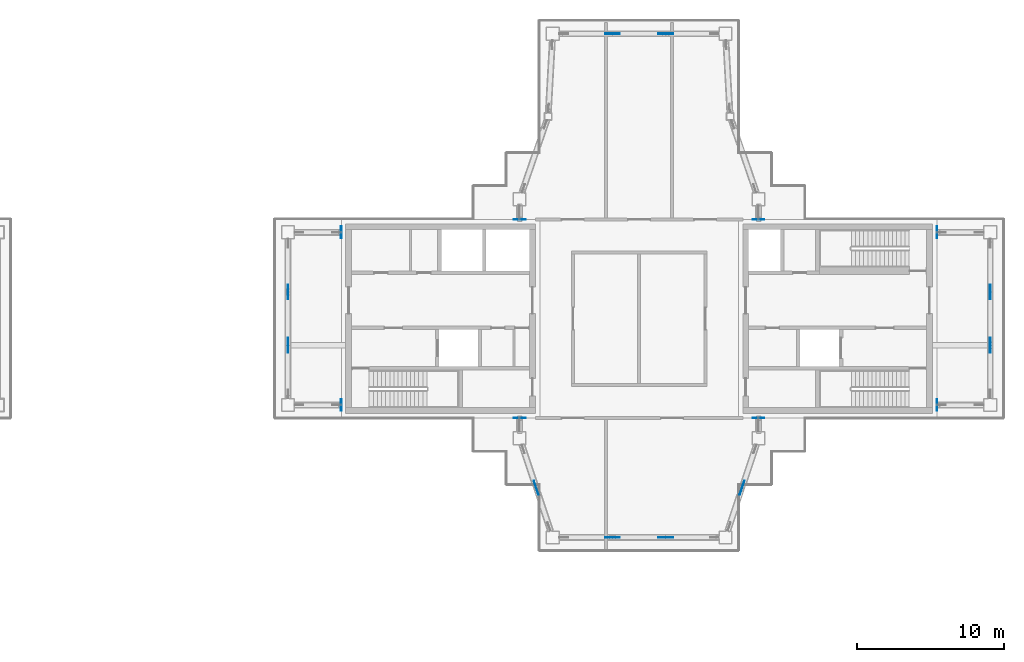
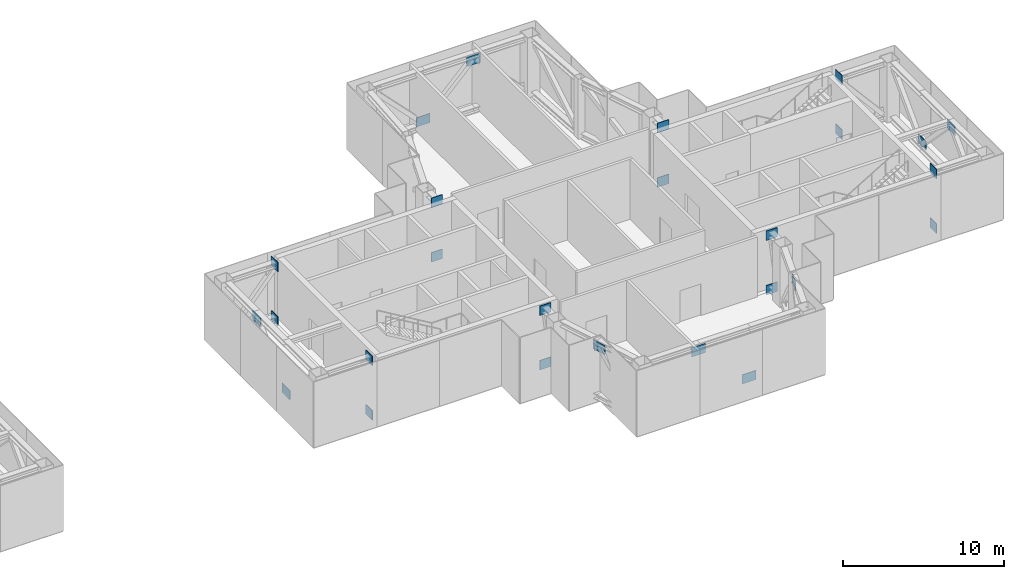
# One storey, part 12 of 18: 26 discrete accessories.
"""IFC4 building model written with IfcOpenShell, lengths in metres."""

from ifc_helpers import new_model, si_unit, direction, frame, origin, origin_2d, place, context, subcontext, project, spatial, rectangle, extrude, material, layer, layer_set, type_object, element, save


model = new_model("IFC4")

# Units and contexts
model_context = context("Model", 3, precision=1e-05, world=origin(), true_north=direction((0.0, 1.0)))
body_context = subcontext(model_context, "Body", "Model", "MODEL_VIEW")
ifc_project = project(units=[si_unit("LENGTHUNIT", "METRE"), si_unit("AREAUNIT", "SQUARE_METRE"), si_unit("VOLUMEUNIT", "CUBIC_METRE"), si_unit("PLANEANGLEUNIT", "RADIAN"), si_unit("MASSUNIT", "GRAM", prefix="KILO")], contexts=[model_context])

# Site, building, storey
site_placement = place(None, origin())
site = spatial("IfcSite", under=ifc_project, at=site_placement, CompositionType="ELEMENT")
building_placement = place(site_placement, origin())
building = spatial("IfcBuilding", under=site, at=building_placement, Name="Shamsa Quay Exchange Towers", CompositionType="ELEMENT")
storey_placement = place(building_placement, frame((0.0, 0.0, 273.300048828125)))
storey = spatial("IfcBuildingStorey", under=building, at=storey_placement, Name="L66", CompositionType="ELEMENT", Elevation=273.300048828125)

# Discrete accessories
ifc_material = material(Name="Steel S355", Category="steel")
ifc_layer_1 = layer(ifc_material, 0.050048828125)
ifc_layer_set_1 = layer_set([ifc_layer_1], Name="Cast-in plate 50x800x716")
discrete_accessory_type_1 = type_object("IfcDiscreteAccessoryType", Name="Cast-in plate 50x800x716", PredefinedType="ANCHORPLATE", material=ifc_layer_set_1)
for number, where, name in (
    (1, (13.5, -5.875, 3.98388671875), "Cast-in plate T2 L66"),
    (2, (13.5, -5.875, -0.14990234375), "Cast-in plate T2 L66"),
):
    element("IfcDiscreteAccessory", number, at=place(storey_placement, frame(where)), inside=storey, type_object=discrete_accessory_type_1, Name=name, PredefinedType="ANCHORPLATE", context=body_context, shape_type="SweptSolid", body=[
        extrude(rectangle(XDim=0.050048828125, YDim=0.800048828125, at=origin_2d()), origin(), (0.0, 0.0, 1.0), 0.716064453125),
    ])
for number, where, z_axis, x_axis, name in (
    (3, (25.625, -6.75, 3.98388671875), (0.0, 0.0, 1.0), (0.0, 1.0, 0.0), "Cast-in plate T2 L66"),
    (4, (25.625, -6.75, -0.14990234375), (0.0, 0.0, 1.0), (0.0, 1.0, 0.0), "Cast-in plate T2 L66"),
    (5, (41.875, -6.75, 3.98388671875), (0.0, 0.0, 1.0), (0.0, 1.0, 0.0), "Cast-in plate T2 L66"),
    (6, (41.875, -6.75, -0.14990234375), (0.0, 0.0, 1.0), (0.0, 1.0, 0.0), "Cast-in plate T2 L66"),
    (7, (54.0, -5.875, 3.98388671875), (0.0, 0.0, 1.0), (-1.0, 0.0, 0.0), "Cast-in plate T2 L66"),
    (8, (54.0, -5.875, -0.14990234375), (0.0, 0.0, 1.0), (-1.0, 0.0, 0.0), "Cast-in plate T2 L66"),
    (9, (54.0, 5.875, 3.98388671875), (0.0, 0.0, 1.0), (-1.0, 0.0, 0.0), "Cast-in plate T2 L66"),
    (10, (54.0, 5.875, -0.14990234375), (0.0, 0.0, 1.0), (-1.0, 0.0, 0.0), "Cast-in plate T2 L66"),
    (11, (41.875, 6.75, 3.98388671875), (0.0, 0.0, 1.0), (0.0, -1.0, 0.0), "Cast-in plate T2 L66"),
    (12, (41.875, 6.75, -0.14990234375), (0.0, 0.0, 1.0), (0.0, -1.0, 0.0), "Cast-in plate T2 L66"),
    (13, (25.625, 6.75, 3.98388671875), (0.0, 0.0, 1.0), (0.0, -1.0, 0.0), "Cast-in plate T2 L66"),
    (14, (25.625, 6.75, -0.14990234375), (0.0, 0.0, 1.0), (0.0, -1.0, 0.0), "Cast-in plate T2 L66"),
):
    element("IfcDiscreteAccessory", number, at=place(storey_placement, frame(where, z_axis=z_axis, x_axis=x_axis)), inside=storey, type_object=discrete_accessory_type_1, Name=name, PredefinedType="ANCHORPLATE", context=body_context, shape_type="SweptSolid", body=[
        extrude(rectangle(XDim=0.050048828125, YDim=0.800048828125, at=origin_2d()), origin(), (0.0, 0.0, 1.0), 0.716064453125),
    ])
for number, where, name in (
    (15, (13.5, 5.875, 3.98388671875), "Cast-in plate T2 L66"),
    (16, (13.5, 5.875, -0.14990234375), "Cast-in plate T2 L66"),
):
    element("IfcDiscreteAccessory", number, at=place(storey_placement, frame(where)), inside=storey, type_object=discrete_accessory_type_1, Name=name, PredefinedType="ANCHORPLATE", context=body_context, shape_type="SweptSolid", body=[
        extrude(rectangle(XDim=0.050048828125, YDim=0.800048828125, at=origin_2d()), origin(), (0.0, 0.0, 1.0), 0.716064453125),
    ])
ifc_layer_2 = layer(ifc_material, 0.0400390625)
ifc_layer_set_2 = layer_set([ifc_layer_2], Name="Gusset plate 1000x700x40")
discrete_accessory_type_2 = type_object("IfcDiscreteAccessoryType", Name="Gusset plate 1000x700x40", PredefinedType="BRACKET", material=ifc_layer_set_2)
discrete_accessory_placement = place(storey_placement, frame((26.75, -11.5, 3.583984375), z_axis=(0.0, 0.0, 1.0), x_axis=(0.316227766018, -0.94868329805, 0.0)))
element("IfcDiscreteAccessory", 17, at=discrete_accessory_placement, inside=storey, type_object=discrete_accessory_type_2, Name="Gusset plate T2 L66", PredefinedType="BRACKET", context=body_context, shape_type="SweptSolid", body=[
    extrude(rectangle(XDim=1.0, YDim=0.0400390625, at=origin_2d()), origin(), (0.0, 0.0, 1.0), 0.699951171875),
])
for number, where, name in (
    (18, (31.941650390625, -14.875, 3.583984375), "Gusset plate T2 L66"),
    (19, (35.558349609375, -14.875, 0.26611328125), "Gusset plate T2 L66"),
):
    element("IfcDiscreteAccessory", number, at=place(storey_placement, frame(where)), inside=storey, type_object=discrete_accessory_type_2, Name=name, PredefinedType="BRACKET", context=body_context, shape_type="SweptSolid", body=[
        extrude(rectangle(XDim=1.0, YDim=0.0400390625, at=origin_2d()), origin(), (0.0, 0.0, 1.0), 0.699951171875),
    ])
for number, where, z_axis, x_axis, name in (
    (20, (40.75, -11.5, 3.583984375), (0.0, 0.0, 1.0), (0.316227766018, 0.94868329805, 0.0), "Gusset plate T2 L66"),
    (21, (57.625, -1.808349609375, 3.583984375), (0.0, 0.0, 1.0), (0.0, 1.0, 0.0), "Gusset plate T2 L66"),
    (22, (57.625, 1.808349609375, 0.26611328125), (0.0, 0.0, 1.0), (0.0, 1.0, 0.0), "Gusset plate T2 L66"),
    (23, (35.558349609375, 19.375, 3.583984375), (0.0, 0.0, 1.0), (-1.0, 0.0, 0.0), "Gusset plate T2 L66"),
    (24, (31.941650390625, 19.375, 0.26611328125), (0.0, 0.0, 1.0), (-1.0, 0.0, 0.0), "Gusset plate T2 L66"),
    (25, (9.875, 1.808349609375, 3.583984375), (0.0, 0.0, 1.0), (0.0, -1.0, 0.0), "Gusset plate T2 L66"),
    (26, (9.875, -1.808349609375, 0.26611328125), (0.0, 0.0, 1.0), (0.0, -1.0, 0.0), "Gusset plate T2 L66"),
):
    element("IfcDiscreteAccessory", number, at=place(storey_placement, frame(where, z_axis=z_axis, x_axis=x_axis)), inside=storey, type_object=discrete_accessory_type_2, Name=name, PredefinedType="BRACKET", context=body_context, shape_type="SweptSolid", body=[
        extrude(rectangle(XDim=1.0, YDim=0.0400390625, at=origin_2d()), origin(), (0.0, 0.0, 1.0), 0.699951171875),
    ])

save(model, "model.ifc")
